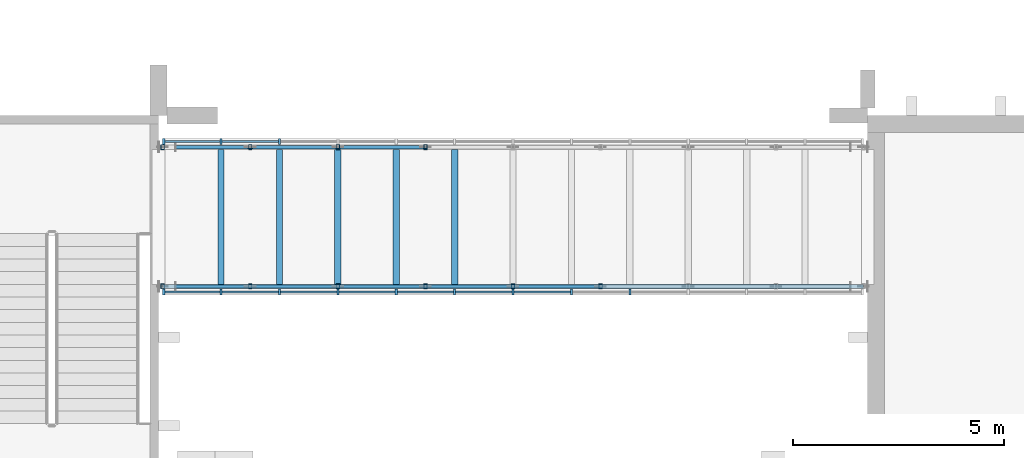
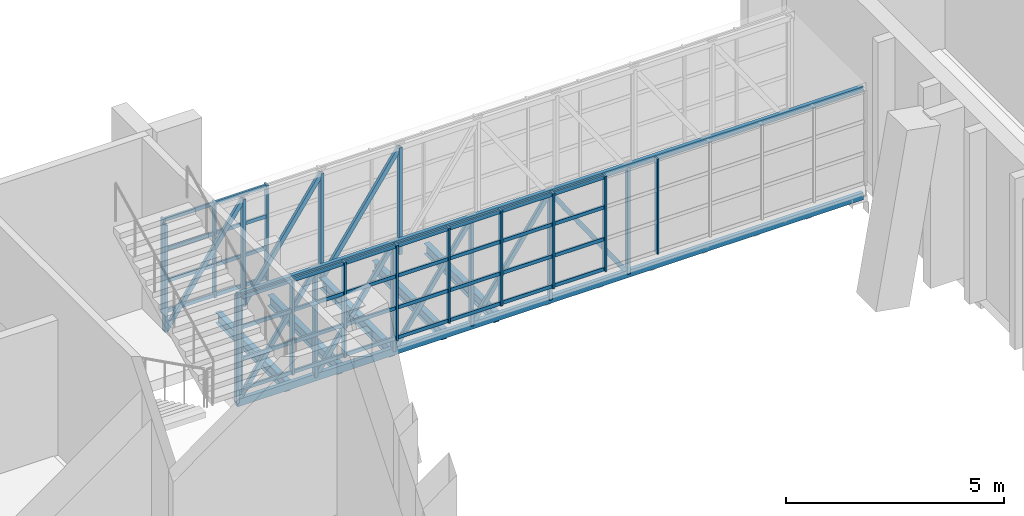
# One storey, part 11 of 91: 68 members, 5 beams, 2 elements without a shape of their own.
"""IFC4 building model written with IfcOpenShell, lengths in metres."""

import ifcopenshell
import ifcopenshell.guid

model = None  # the IFC model being written
_history = None  # IfcOwnerHistory: only IFC2X3 demands one
_inside = {}  # id of a spatial element -> (the spatial element, [elements in it])
_under = {}  # id of a project, library or spatial element -> (it, [spatial elements below it])
_declared = {}  # id of a project -> (the project, [libraries it declares])
_typed = {}  # id of a type object -> (the type object, [elements of that type])
_made_of = {}  # id of a material, layer set ... -> (it, [elements and type objects made of it])


def new_model(schema):
    """Start an empty IFC model of exactly this schema.

    Asked for "IFC4X3", IfcOpenShell would pick the latest addendum, in which some entities
    have other attributes; the version numbers below select the first issue.
    IFC2X3 requires an IfcOwnerHistory on every rooted entity: one is made here for all.
    """
    global model, _history
    if schema == "IFC4X3":
        model = ifcopenshell.file(schema_version=(4, 3, 0, 0))
    else:
        model = ifcopenshell.file(schema=schema)
    _inside.clear()
    _under.clear()
    _declared.clear()
    _typed.clear()
    _made_of.clear()
    _history = None
    if model.schema == "IFC2X3":
        org = make("IfcOrganization", Name="unknown")
        user = make(
            "IfcPersonAndOrganization",
            ThePerson=make("IfcPerson", FamilyName="unknown"),
            TheOrganization=org,
        )
        app = make(
            "IfcApplication",
            ApplicationDeveloper=org,
            Version="unknown",
            ApplicationFullName="unknown",
            ApplicationIdentifier="unknown",
        )
        _history = make(
            "IfcOwnerHistory",
            OwningUser=user,
            OwningApplication=app,
            ChangeAction="ADDED",
            CreationDate=0,
        )
    return model


def make(cls, **values):
    """One entity of the class cls with the attributes given. An attribute that is None is left unset."""
    return model.create_entity(
        cls, **{name: value for name, value in values.items() if value is not None}
    )


def rooted(cls, **values):
    """An entity with a GlobalId (a new one), such as an element, a storey or a relation."""
    return make(cls, GlobalId=ifcopenshell.guid.new(), OwnerHistory=_history, **values)


def si_unit(unit_type, name, prefix=None):
    """IfcSIUnit, for example si_unit("LENGTHUNIT", "METRE", prefix="MILLI")."""
    return make("IfcSIUnit", UnitType=unit_type, Prefix=prefix, Name=name)


def assignment(units):
    """IfcUnitAssignment: the units of a project."""
    return None if units is None else make("IfcUnitAssignment", Units=units)


def point(xyz):
    """IfcCartesianPoint."""
    return None if xyz is None else make("IfcCartesianPoint", Coordinates=xyz)


def direction(xyz):
    """IfcDirection."""
    return None if xyz is None else make("IfcDirection", DirectionRatios=xyz)


def frame(location, z_axis=None, x_axis=None):
    """IfcAxis2Placement3D, a coordinate frame: its origin and axes. An axis left out is left unset."""
    return make(
        "IfcAxis2Placement3D",
        Location=point(location),
        Axis=direction(z_axis),
        RefDirection=direction(x_axis),
    )


def frame_2d(location, x_axis=None):
    """IfcAxis2Placement2D, a coordinate frame in the plane: its origin and x axis."""
    return make(
        "IfcAxis2Placement2D", Location=point(location), RefDirection=direction(x_axis)
    )


def origin():
    """The frame at (0, 0, 0) with its axes left unset."""
    return frame((0.0, 0.0, 0.0))


def origin_2d():
    """The frame at (0, 0) in the plane with its x axis left unset."""
    return frame_2d((0.0, 0.0))


def place(relative_to, where):
    """IfcLocalPlacement: puts the frame where relative to a parent placement (None: the world)."""
    return make(
        "IfcLocalPlacement", PlacementRelTo=relative_to, RelativePlacement=where
    )


def context(
    kind, dimensions, precision=None, world=None, true_north=None, identifier=None
):
    """IfcGeometricRepresentationContext, for example the 3D "Model" context."""
    return make(
        "IfcGeometricRepresentationContext",
        ContextIdentifier=identifier,
        ContextType=kind,
        CoordinateSpaceDimension=dimensions,
        Precision=precision,
        WorldCoordinateSystem=world,
        TrueNorth=true_north,
    )


def subcontext(parent, identifier, kind, view, scale=None):
    """IfcGeometricRepresentationSubContext, for example "Body" below "Model"."""
    return make(
        "IfcGeometricRepresentationSubContext",
        ContextIdentifier=identifier,
        ContextType=kind,
        ParentContext=parent,
        TargetScale=scale,
        TargetView=view,
    )


def project(units=None, contexts=None):
    """IfcProject with its units and contexts."""
    return rooted(
        "IfcProject",
        Name="project",
        RepresentationContexts=contexts,
        UnitsInContext=assignment(units),
    )


def spatial(cls, under=None, at=None, **own):
    """A site, building, storey or space (cls), placed at a placement, below another one or the project."""
    s = rooted(cls, ObjectPlacement=at, **own)
    if under is not None:
        _under.setdefault(under.id(), (under, []))[1].append(s)
    return s


def profile(cls, at=None, kind="AREA", **sizes):
    """A parametric profile (cls). Its sizes go by their IFC names, for example OverallWidth=200.0."""
    return make(cls, ProfileType=kind, Position=at, **sizes)


def rectangle(**sizes):
    """IfcRectangleProfileDef."""
    return profile("IfcRectangleProfileDef", **sizes)


def hollow_rectangle(**sizes):
    """IfcRectangleHollowProfileDef."""
    return profile("IfcRectangleHollowProfileDef", **sizes)


def i_section(**sizes):
    """IfcIShapeProfileDef."""
    return profile("IfcIShapeProfileDef", **sizes)


def extrude(swept, where, along, depth):
    """IfcExtrudedAreaSolid: the profile swept, set in the frame where, extruded along a direction by depth."""
    return make(
        "IfcExtrudedAreaSolid",
        SweptArea=swept,
        Position=where,
        ExtrudedDirection=direction(along),
        Depth=depth,
    )


def shape(context_of_items, identifier, shape_type, items):
    """IfcShapeRepresentation: the items that make up one representation, for example the "Body"."""
    return make(
        "IfcShapeRepresentation",
        ContextOfItems=context_of_items,
        RepresentationIdentifier=identifier,
        RepresentationType=shape_type,
        Items=items,
    )


def material(Name=None, Category=None):
    """IfcMaterial."""
    return make("IfcMaterial", Name=Name, Category=Category)


def layer(
    of_material, thickness, ventilated=None, Name=None, Category=None, Priority=None
):
    """IfcMaterialLayer: one layer of a wall or slab, of a material (None: an air gap)."""
    return make(
        "IfcMaterialLayer",
        Material=of_material,
        LayerThickness=thickness,
        IsVentilated=ventilated,
        Name=Name,
        Category=Category,
        Priority=Priority,
    )


def layer_set(layers, Name=None):
    """IfcMaterialLayerSet."""
    return make("IfcMaterialLayerSet", MaterialLayers=layers, LayerSetName=Name)


def material_profile(
    of_material, cross_section, Name=None, Category=None, Priority=None
):
    """IfcMaterialProfile: a cross section and its material."""
    return make(
        "IfcMaterialProfile",
        Name=Name,
        Material=of_material,
        Profile=cross_section,
        Priority=Priority,
        Category=Category,
    )


def profile_set(profiles, Name=None, composite=None):
    """IfcMaterialProfileSet."""
    return make(
        "IfcMaterialProfileSet",
        Name=Name,
        MaterialProfiles=profiles,
        CompositeProfile=composite,
    )


def made_of(thing, what):
    """Note that an element or type object is made of a material, layer set ...; save() writes the relation."""
    if what is not None:
        _made_of.setdefault(what.id(), (what, []))[1].append(thing)
    return thing


def type_object(cls, material=None, **own):
    """A type object (cls), such as IfcWallType, which elements share."""
    return made_of(rooted(cls, **own), material)


def element(
    cls,
    number,
    at=None,
    inside=None,
    cuts=None,
    type_object=None,
    material=None,
    context=None,
    identifier="Body",
    shape_type=None,
    held_by="IfcProductDefinitionShape",
    body=None,
    shapes=None,
    **own,
):
    """One element of the class cls, such as IfcWall. Its Tag is "e" and its number.

    at: its placement. inside: the storey or other place that contains it. cuts: it is an
    opening in that element (IfcRelVoidsElement). A single representation is given by context,
    identifier, shape_type and body (its items); several are given by shapes. held_by: the class
    of the entity that holds the representations. save() writes the other relations.
    """
    e = rooted(cls, Tag="e%d" % number, ObjectPlacement=at, **own)
    if body is not None:
        shapes = [shape(context, identifier, shape_type, body)]
    if shapes is not None:
        e.Representation = make(held_by, Representations=shapes)
    if inside is not None:
        _inside.setdefault(inside.id(), (inside, []))[1].append(e)
    if cuts is not None:
        rooted(
            "IfcRelVoidsElement", RelatingBuildingElement=cuts, RelatedOpeningElement=e
        )
    if type_object is not None:
        _typed.setdefault(type_object.id(), (type_object, []))[1].append(e)
    return made_of(e, material)


def aggregate(whole, parts):
    """IfcRelAggregates: a whole, such as a stair, and the parts it consists of."""
    return rooted("IfcRelAggregates", RelatingObject=whole, RelatedObjects=parts)


def save(model, path):
    """Write the relations noted so far, then the file.

    IfcRelAggregates (storeys below a building ...), IfcRelContainedInSpatialStructure (elements
    in a storey), IfcRelDefinesByType, IfcRelAssociatesMaterial and IfcRelDeclares: one each for
    every whole, place, type object, material and project.
    """
    for whole, parts in _under.values():
        aggregate(whole, parts)
    for where, things in _inside.values():
        rooted(
            "IfcRelContainedInSpatialStructure",
            RelatedElements=things,
            RelatingStructure=where,
        )
    for kind, things in _typed.values():
        rooted("IfcRelDefinesByType", RelatedObjects=things, RelatingType=kind)
    for what, things in _made_of.values():
        rooted("IfcRelAssociatesMaterial", RelatedObjects=things, RelatingMaterial=what)
    for by, libraries in _declared.values():
        rooted("IfcRelDeclares", RelatingContext=by, RelatedDefinitions=libraries)
    model.write(path)


model = new_model("IFC4")

# Units and contexts
model_context = context("Model", 3, precision=1e-05, world=origin(), true_north=direction((0.0, 1.0)))
body_context = subcontext(model_context, "Body", "Model", "MODEL_VIEW")
ifc_project = project(units=[si_unit("LENGTHUNIT", "METRE"), si_unit("AREAUNIT", "SQUARE_METRE"), si_unit("VOLUMEUNIT", "CUBIC_METRE"), si_unit("PLANEANGLEUNIT", "RADIAN"), si_unit("MASSUNIT", "GRAM", prefix="KILO")], contexts=[model_context])

# Site, building, storey
site_placement = place(None, origin())
site = spatial("IfcSite", under=ifc_project, at=site_placement, CompositionType="ELEMENT")
building_placement = place(site_placement, origin())
building = spatial("IfcBuilding", under=site, at=building_placement, Name="Kiln Court Media Centre", CompositionType="ELEMENT")
storey_placement = place(building_placement, frame((0.0, 0.0, 5.39990234375)))
storey = spatial("IfcBuildingStorey", under=building, at=storey_placement, Name="L01", CompositionType="ELEMENT", Elevation=5.39990234375)

# Curtain wall, members
ifc_material_1 = material(Name="Aluminium 6063-T6", Category="aluminium")
ifc_layer = layer(ifc_material_1, 0.1201171875)
ifc_layer_set = layer_set([ifc_layer], Name="Aluminium unitised curtain wall, bridge")
curtain_wall_type = type_object("IfcCurtainWallType", Name="Aluminium unitised curtain wall, bridge", PredefinedType="USERDEFINED", material=ifc_layer_set)
curtain_wall_1_placement = place(storey_placement, origin())
curtain_wall_1 = element("IfcCurtainWall", 1, at=curtain_wall_1_placement, inside=storey, type_object=curtain_wall_type, Name="BR-3 side glazing", ObjectType="UNITISED CURTAIN WALL", PredefinedType="USERDEFINED")
ifc_material_2 = material(Name="Aluminium 6063-T6", Category="aluminium")
ifc_material_profile_1 = material_profile(ifc_material_2, rectangle(XDim=0.050048828125, YDim=0.139892578125, at=origin_2d()), Name="Aluminium hall mullion 50x140")
ifc_profile_set_1 = profile_set([ifc_material_profile_1], Name="Aluminium 6063-T6")
member_type_1 = type_object("IfcMemberType", Name="Aluminium hall mullion 50x140", PredefinedType="MULLION", material=ifc_profile_set_1)
member_1_placement = place(storey_placement, frame((100.925048828125, 63.014892578125, 0.0), z_axis=(0.0, 0.0, 1.0), x_axis=(1.0, 0.0, 0.0)))
member_1 = element("IfcMember", 2, at=member_1_placement, type_object=member_type_1, Name="CW1-63 mullion 1", PredefinedType="MULLION", context=body_context, shape_type="SweptSolid", body=[
    extrude(rectangle(XDim=0.050048828125, YDim=0.139892578125, at=origin_2d()), origin(), (0.0, 0.0, 1.0), 2.675048828125),
])
member_2_placement = place(storey_placement, frame((102.283447265625, 63.014892578125, 0.0), z_axis=(0.0, 0.0, 1.0), x_axis=(1.0, 0.0, 0.0)))
member_2 = element("IfcMember", 3, at=member_2_placement, type_object=member_type_1, Name="CW1-63 mullion 2", PredefinedType="MULLION", context=body_context, shape_type="SweptSolid", body=[
    extrude(rectangle(XDim=0.050048828125, YDim=0.139892578125, at=origin_2d()), origin(), (0.0, 0.0, 1.0), 2.675048828125),
])
member_3_placement = place(storey_placement, frame((103.666748046875, 63.014892578125, 0.0), z_axis=(0.0, 0.0, 1.0), x_axis=(1.0, 0.0, 0.0)))
member_3 = element("IfcMember", 4, at=member_3_placement, type_object=member_type_1, Name="CW1-63 mullion 3", PredefinedType="MULLION", context=body_context, shape_type="SweptSolid", body=[
    extrude(rectangle(XDim=0.050048828125, YDim=0.139892578125, at=origin_2d()), origin(), (0.0, 0.0, 1.0), 2.675048828125),
])
member_4_placement = place(storey_placement, frame((105.050048828125, 63.014892578125, 0.0), z_axis=(0.0, 0.0, 1.0), x_axis=(1.0, 0.0, 0.0)))
member_4 = element("IfcMember", 5, at=member_4_placement, type_object=member_type_1, Name="CW1-63 mullion 4", PredefinedType="MULLION", context=body_context, shape_type="SweptSolid", body=[
    extrude(rectangle(XDim=0.050048828125, YDim=0.139892578125, at=origin_2d()), origin(), (0.0, 0.0, 1.0), 2.675048828125),
])
member_5_placement = place(storey_placement, frame((106.433349609375, 63.014892578125, 0.0), z_axis=(0.0, 0.0, 1.0), x_axis=(1.0, 0.0, 0.0)))
member_5 = element("IfcMember", 6, at=member_5_placement, type_object=member_type_1, Name="CW1-63 mullion 5", PredefinedType="MULLION", context=body_context, shape_type="SweptSolid", body=[
    extrude(rectangle(XDim=0.050048828125, YDim=0.139892578125, at=origin_2d()), origin(), (0.0, 0.0, 1.0), 2.675048828125),
])
member_6_placement = place(storey_placement, frame((107.816650390625, 63.014892578125, 0.0), z_axis=(0.0, 0.0, 1.0), x_axis=(1.0, 0.0, 0.0)))
member_6 = element("IfcMember", 7, at=member_6_placement, type_object=member_type_1, Name="CW1-63 mullion 6", PredefinedType="MULLION", context=body_context, shape_type="SweptSolid", body=[
    extrude(rectangle(XDim=0.050048828125, YDim=0.139892578125, at=origin_2d()), origin(), (0.0, 0.0, 1.0), 2.675048828125),
])
member_7_placement = place(storey_placement, frame((109.199951171875, 63.014892578125, 0.0), z_axis=(0.0, 0.0, 1.0), x_axis=(1.0, 0.0, 0.0)))
member_7 = element("IfcMember", 8, at=member_7_placement, type_object=member_type_1, Name="CW1-63 mullion 7", PredefinedType="MULLION", context=body_context, shape_type="SweptSolid", body=[
    extrude(rectangle(XDim=0.050048828125, YDim=0.139892578125, at=origin_2d()), origin(), (0.0, 0.0, 1.0), 2.675048828125),
])
member_8_placement = place(storey_placement, frame((110.583251953125, 63.014892578125, 0.0), z_axis=(0.0, 0.0, 1.0), x_axis=(1.0, 0.0, 0.0)))
member_8 = element("IfcMember", 9, at=member_8_placement, type_object=member_type_1, Name="CW1-63 mullion 8", PredefinedType="MULLION", context=body_context, shape_type="SweptSolid", body=[
    extrude(rectangle(XDim=0.050048828125, YDim=0.139892578125, at=origin_2d()), origin(), (0.0, 0.0, 1.0), 2.675048828125),
])
member_9_placement = place(storey_placement, frame((111.966552734375, 63.014892578125, 0.0), z_axis=(0.0, 0.0, 1.0), x_axis=(1.0, 0.0, 0.0)))
member_9 = element("IfcMember", 10, at=member_9_placement, type_object=member_type_1, Name="CW1-63 mullion 9", PredefinedType="MULLION", context=body_context, shape_type="SweptSolid", body=[
    extrude(rectangle(XDim=0.050048828125, YDim=0.139892578125, at=origin_2d()), origin(), (0.0, 0.0, 1.0), 2.675048828125),
])

curtain_wall_2_placement = place(storey_placement, origin())
curtain_wall_2 = element("IfcCurtainWall", 11, at=curtain_wall_2_placement, inside=storey, type_object=curtain_wall_type, Name="BR-3 side glazing", ObjectType="UNITISED CURTAIN WALL", PredefinedType="USERDEFINED")
member_10_placement = place(storey_placement, frame((100.925048828125, 66.5849609375, 0.0), z_axis=(0.0, 0.0, 1.0), x_axis=(1.0, 0.0, 0.0)))
member_10 = element("IfcMember", 12, at=member_10_placement, type_object=member_type_1, Name="CW1-64 mullion 1", PredefinedType="MULLION", context=body_context, shape_type="SweptSolid", body=[
    extrude(rectangle(XDim=0.050048828125, YDim=0.139892578125, at=origin_2d()), origin(), (0.0, 0.0, 1.0), 2.675048828125),
])
member_11_placement = place(storey_placement, frame((102.283447265625, 66.5849609375, 0.0), z_axis=(0.0, 0.0, 1.0), x_axis=(1.0, 0.0, 0.0)))
member_11 = element("IfcMember", 13, at=member_11_placement, type_object=member_type_1, Name="CW1-64 mullion 2", PredefinedType="MULLION", context=body_context, shape_type="SweptSolid", body=[
    extrude(rectangle(XDim=0.050048828125, YDim=0.139892578125, at=origin_2d()), origin(), (0.0, 0.0, 1.0), 2.675048828125),
])
member_12_placement = place(storey_placement, frame((103.666748046875, 66.5849609375, 0.0), z_axis=(0.0, 0.0, 1.0), x_axis=(1.0, 0.0, 0.0)))
member_12 = element("IfcMember", 14, at=member_12_placement, type_object=member_type_1, Name="CW1-64 mullion 3", PredefinedType="MULLION", context=body_context, shape_type="SweptSolid", body=[
    extrude(rectangle(XDim=0.050048828125, YDim=0.139892578125, at=origin_2d()), origin(), (0.0, 0.0, 1.0), 2.675048828125),
])

# Member
ifc_material_3 = material(Name="Aluminium 6063-T6", Category="aluminium")
ifc_material_profile_2 = material_profile(ifc_material_3, rectangle(XDim=0.050048828125, YDim=0.10009765625, at=origin_2d()), Name="Aluminium hall transom 50x100")
ifc_profile_set_2 = profile_set([ifc_material_profile_2], Name="Aluminium 6063-T6")
member_type_2 = type_object("IfcMemberType", Name="Aluminium hall transom 50x100", PredefinedType="USERDEFINED", material=ifc_profile_set_2)
member_13_placement = place(storey_placement, frame((100.949951171875, 63.014892578125, 0.050048828125), z_axis=(1.0, 0.0, 0.0), x_axis=(0.0, 1.0, 0.0)))
member_13 = element("IfcMember", 15, at=member_13_placement, type_object=member_type_2, Name="CW1-63 transom 1.1", ObjectType="TRANSOM", PredefinedType="USERDEFINED", context=body_context, shape_type="SweptSolid", body=[
    extrude(rectangle(XDim=0.050048828125, YDim=0.10009765625, at=origin_2d()), origin(), (0.0, 0.0, 1.0), 1.308349609375),
])

member_14_placement = place(storey_placement, frame((100.949951171875, 63.014892578125, 0.891845703125), z_axis=(1.0, 0.0, 0.0), x_axis=(0.0, 1.0, 0.0)))
member_14 = element("IfcMember", 16, at=member_14_placement, type_object=member_type_2, Name="CW1-63 transom 1.2", ObjectType="TRANSOM", PredefinedType="USERDEFINED", context=body_context, shape_type="SweptSolid", body=[
    extrude(rectangle(XDim=0.050048828125, YDim=0.10009765625, at=origin_2d()), origin(), (0.0, 0.0, 1.0), 1.308349609375),
])

member_15_placement = place(storey_placement, frame((100.949951171875, 63.014892578125, 1.783447265625), z_axis=(1.0, 0.0, 0.0), x_axis=(0.0, 1.0, 0.0)))
member_15 = element("IfcMember", 17, at=member_15_placement, type_object=member_type_2, Name="CW1-63 transom 1.3", ObjectType="TRANSOM", PredefinedType="USERDEFINED", context=body_context, shape_type="SweptSolid", body=[
    extrude(rectangle(XDim=0.050048828125, YDim=0.10009765625, at=origin_2d()), origin(), (0.0, 0.0, 1.0), 1.308349609375),
])

member_16_placement = place(storey_placement, frame((100.949951171875, 63.014892578125, 2.625), z_axis=(1.0, 0.0, 0.0), x_axis=(0.0, 1.0, 0.0)))
member_16 = element("IfcMember", 18, at=member_16_placement, type_object=member_type_2, Name="CW1-63 transom 1.4", ObjectType="TRANSOM", PredefinedType="USERDEFINED", context=body_context, shape_type="SweptSolid", body=[
    extrude(rectangle(XDim=0.050048828125, YDim=0.10009765625, at=origin_2d()), origin(), (0.0, 0.0, 1.0), 1.308349609375),
])

member_17_placement = place(storey_placement, frame((102.308349609375, 63.014892578125, 0.050048828125), z_axis=(1.0, 0.0, 0.0), x_axis=(0.0, 1.0, 0.0)))
member_17 = element("IfcMember", 19, at=member_17_placement, type_object=member_type_2, Name="CW1-63 transom 2.1", ObjectType="TRANSOM", PredefinedType="USERDEFINED", context=body_context, shape_type="SweptSolid", body=[
    extrude(rectangle(XDim=0.050048828125, YDim=0.10009765625, at=origin_2d()), origin(), (0.0, 0.0, 1.0), 1.333251953125),
])

member_18_placement = place(storey_placement, frame((102.308349609375, 63.014892578125, 0.891845703125), z_axis=(1.0, 0.0, 0.0), x_axis=(0.0, 1.0, 0.0)))
member_18 = element("IfcMember", 20, at=member_18_placement, type_object=member_type_2, Name="CW1-63 transom 2.2", ObjectType="TRANSOM", PredefinedType="USERDEFINED", context=body_context, shape_type="SweptSolid", body=[
    extrude(rectangle(XDim=0.050048828125, YDim=0.10009765625, at=origin_2d()), origin(), (0.0, 0.0, 1.0), 1.333251953125),
])

member_19_placement = place(storey_placement, frame((102.308349609375, 63.014892578125, 1.783447265625), z_axis=(1.0, 0.0, 0.0), x_axis=(0.0, 1.0, 0.0)))
member_19 = element("IfcMember", 21, at=member_19_placement, type_object=member_type_2, Name="CW1-63 transom 2.3", ObjectType="TRANSOM", PredefinedType="USERDEFINED", context=body_context, shape_type="SweptSolid", body=[
    extrude(rectangle(XDim=0.050048828125, YDim=0.10009765625, at=origin_2d()), origin(), (0.0, 0.0, 1.0), 1.333251953125),
])

member_20_placement = place(storey_placement, frame((102.308349609375, 63.014892578125, 2.625), z_axis=(1.0, 0.0, 0.0), x_axis=(0.0, 1.0, 0.0)))
member_20 = element("IfcMember", 22, at=member_20_placement, type_object=member_type_2, Name="CW1-63 transom 2.4", ObjectType="TRANSOM", PredefinedType="USERDEFINED", context=body_context, shape_type="SweptSolid", body=[
    extrude(rectangle(XDim=0.050048828125, YDim=0.10009765625, at=origin_2d()), origin(), (0.0, 0.0, 1.0), 1.333251953125),
])

member_21_placement = place(storey_placement, frame((103.691650390625, 63.014892578125, 0.050048828125), z_axis=(1.0, 0.0, 0.0), x_axis=(0.0, 1.0, 0.0)))
member_21 = element("IfcMember", 23, at=member_21_placement, type_object=member_type_2, Name="CW1-63 transom 3.1", ObjectType="TRANSOM", PredefinedType="USERDEFINED", context=body_context, shape_type="SweptSolid", body=[
    extrude(rectangle(XDim=0.050048828125, YDim=0.10009765625, at=origin_2d()), origin(), (0.0, 0.0, 1.0), 1.333251953125),
])

member_22_placement = place(storey_placement, frame((103.691650390625, 63.014892578125, 0.891845703125), z_axis=(1.0, 0.0, 0.0), x_axis=(0.0, 1.0, 0.0)))
member_22 = element("IfcMember", 24, at=member_22_placement, type_object=member_type_2, Name="CW1-63 transom 3.2", ObjectType="TRANSOM", PredefinedType="USERDEFINED", context=body_context, shape_type="SweptSolid", body=[
    extrude(rectangle(XDim=0.050048828125, YDim=0.10009765625, at=origin_2d()), origin(), (0.0, 0.0, 1.0), 1.333251953125),
])

member_23_placement = place(storey_placement, frame((103.691650390625, 63.014892578125, 1.783447265625), z_axis=(1.0, 0.0, 0.0), x_axis=(0.0, 1.0, 0.0)))
member_23 = element("IfcMember", 25, at=member_23_placement, type_object=member_type_2, Name="CW1-63 transom 3.3", ObjectType="TRANSOM", PredefinedType="USERDEFINED", context=body_context, shape_type="SweptSolid", body=[
    extrude(rectangle(XDim=0.050048828125, YDim=0.10009765625, at=origin_2d()), origin(), (0.0, 0.0, 1.0), 1.333251953125),
])

member_24_placement = place(storey_placement, frame((103.691650390625, 63.014892578125, 2.625), z_axis=(1.0, 0.0, 0.0), x_axis=(0.0, 1.0, 0.0)))
member_24 = element("IfcMember", 26, at=member_24_placement, type_object=member_type_2, Name="CW1-63 transom 3.4", ObjectType="TRANSOM", PredefinedType="USERDEFINED", context=body_context, shape_type="SweptSolid", body=[
    extrude(rectangle(XDim=0.050048828125, YDim=0.10009765625, at=origin_2d()), origin(), (0.0, 0.0, 1.0), 1.333251953125),
])

member_25_placement = place(storey_placement, frame((105.074951171875, 63.014892578125, 0.050048828125), z_axis=(1.0, 0.0, 0.0), x_axis=(0.0, 1.0, 0.0)))
member_25 = element("IfcMember", 27, at=member_25_placement, type_object=member_type_2, Name="CW1-63 transom 4.1", ObjectType="TRANSOM", PredefinedType="USERDEFINED", context=body_context, shape_type="SweptSolid", body=[
    extrude(rectangle(XDim=0.050048828125, YDim=0.10009765625, at=origin_2d()), origin(), (0.0, 0.0, 1.0), 1.33349609375),
])

member_26_placement = place(storey_placement, frame((105.074951171875, 63.014892578125, 0.891845703125), z_axis=(1.0, 0.0, 0.0), x_axis=(0.0, 1.0, 0.0)))
member_26 = element("IfcMember", 28, at=member_26_placement, type_object=member_type_2, Name="CW1-63 transom 4.2", ObjectType="TRANSOM", PredefinedType="USERDEFINED", context=body_context, shape_type="SweptSolid", body=[
    extrude(rectangle(XDim=0.050048828125, YDim=0.10009765625, at=origin_2d()), origin(), (0.0, 0.0, 1.0), 1.33349609375),
])

member_27_placement = place(storey_placement, frame((105.074951171875, 63.014892578125, 1.783447265625), z_axis=(1.0, 0.0, 0.0), x_axis=(0.0, 1.0, 0.0)))
member_27 = element("IfcMember", 29, at=member_27_placement, type_object=member_type_2, Name="CW1-63 transom 4.3", ObjectType="TRANSOM", PredefinedType="USERDEFINED", context=body_context, shape_type="SweptSolid", body=[
    extrude(rectangle(XDim=0.050048828125, YDim=0.10009765625, at=origin_2d()), origin(), (0.0, 0.0, 1.0), 1.33349609375),
])

member_28_placement = place(storey_placement, frame((105.074951171875, 63.014892578125, 2.625), z_axis=(1.0, 0.0, 0.0), x_axis=(0.0, 1.0, 0.0)))
member_28 = element("IfcMember", 30, at=member_28_placement, type_object=member_type_2, Name="CW1-63 transom 4.4", ObjectType="TRANSOM", PredefinedType="USERDEFINED", context=body_context, shape_type="SweptSolid", body=[
    extrude(rectangle(XDim=0.050048828125, YDim=0.10009765625, at=origin_2d()), origin(), (0.0, 0.0, 1.0), 1.33349609375),
])

member_29_placement = place(storey_placement, frame((106.458251953125, 63.014892578125, 0.050048828125), z_axis=(1.0, 0.0, 0.0), x_axis=(0.0, 1.0, 0.0)))
member_29 = element("IfcMember", 31, at=member_29_placement, type_object=member_type_2, Name="CW1-63 transom 5.1", ObjectType="TRANSOM", PredefinedType="USERDEFINED", context=body_context, shape_type="SweptSolid", body=[
    extrude(rectangle(XDim=0.050048828125, YDim=0.10009765625, at=origin_2d()), origin(), (0.0, 0.0, 1.0), 1.33349609375),
])

member_30_placement = place(storey_placement, frame((106.458251953125, 63.014892578125, 0.891845703125), z_axis=(1.0, 0.0, 0.0), x_axis=(0.0, 1.0, 0.0)))
member_30 = element("IfcMember", 32, at=member_30_placement, type_object=member_type_2, Name="CW1-63 transom 5.2", ObjectType="TRANSOM", PredefinedType="USERDEFINED", context=body_context, shape_type="SweptSolid", body=[
    extrude(rectangle(XDim=0.050048828125, YDim=0.10009765625, at=origin_2d()), origin(), (0.0, 0.0, 1.0), 1.33349609375),
])

member_31_placement = place(storey_placement, frame((106.458251953125, 63.014892578125, 1.783447265625), z_axis=(1.0, 0.0, 0.0), x_axis=(0.0, 1.0, 0.0)))
member_31 = element("IfcMember", 33, at=member_31_placement, type_object=member_type_2, Name="CW1-63 transom 5.3", ObjectType="TRANSOM", PredefinedType="USERDEFINED", context=body_context, shape_type="SweptSolid", body=[
    extrude(rectangle(XDim=0.050048828125, YDim=0.10009765625, at=origin_2d()), origin(), (0.0, 0.0, 1.0), 1.33349609375),
])

member_32_placement = place(storey_placement, frame((106.458251953125, 63.014892578125, 2.625), z_axis=(1.0, 0.0, 0.0), x_axis=(0.0, 1.0, 0.0)))
member_32 = element("IfcMember", 34, at=member_32_placement, type_object=member_type_2, Name="CW1-63 transom 5.4", ObjectType="TRANSOM", PredefinedType="USERDEFINED", context=body_context, shape_type="SweptSolid", body=[
    extrude(rectangle(XDim=0.050048828125, YDim=0.10009765625, at=origin_2d()), origin(), (0.0, 0.0, 1.0), 1.33349609375),
])

member_33_placement = place(storey_placement, frame((107.841552734375, 63.014892578125, 0.050048828125), z_axis=(1.0, 0.0, 0.0), x_axis=(0.0, 1.0, 0.0)))
member_33 = element("IfcMember", 35, at=member_33_placement, type_object=member_type_2, Name="CW1-63 transom 6.1", ObjectType="TRANSOM", PredefinedType="USERDEFINED", context=body_context, shape_type="SweptSolid", body=[
    extrude(rectangle(XDim=0.050048828125, YDim=0.10009765625, at=origin_2d()), origin(), (0.0, 0.0, 1.0), 1.33349609375),
])

member_34_placement = place(storey_placement, frame((107.841552734375, 63.014892578125, 0.891845703125), z_axis=(1.0, 0.0, 0.0), x_axis=(0.0, 1.0, 0.0)))
member_34 = element("IfcMember", 36, at=member_34_placement, type_object=member_type_2, Name="CW1-63 transom 6.2", ObjectType="TRANSOM", PredefinedType="USERDEFINED", context=body_context, shape_type="SweptSolid", body=[
    extrude(rectangle(XDim=0.050048828125, YDim=0.10009765625, at=origin_2d()), origin(), (0.0, 0.0, 1.0), 1.33349609375),
])

member_35_placement = place(storey_placement, frame((107.841552734375, 63.014892578125, 1.783447265625), z_axis=(1.0, 0.0, 0.0), x_axis=(0.0, 1.0, 0.0)))
member_35 = element("IfcMember", 37, at=member_35_placement, type_object=member_type_2, Name="CW1-63 transom 6.3", ObjectType="TRANSOM", PredefinedType="USERDEFINED", context=body_context, shape_type="SweptSolid", body=[
    extrude(rectangle(XDim=0.050048828125, YDim=0.10009765625, at=origin_2d()), origin(), (0.0, 0.0, 1.0), 1.33349609375),
])

member_36_placement = place(storey_placement, frame((107.841552734375, 63.014892578125, 2.625), z_axis=(1.0, 0.0, 0.0), x_axis=(0.0, 1.0, 0.0)))
member_36 = element("IfcMember", 38, at=member_36_placement, type_object=member_type_2, Name="CW1-63 transom 6.4", ObjectType="TRANSOM", PredefinedType="USERDEFINED", context=body_context, shape_type="SweptSolid", body=[
    extrude(rectangle(XDim=0.050048828125, YDim=0.10009765625, at=origin_2d()), origin(), (0.0, 0.0, 1.0), 1.33349609375),
])

member_37_placement = place(storey_placement, frame((109.22509765625, 63.014892578125, 0.050048828125), z_axis=(1.0, 0.0, 0.0), x_axis=(0.0, 1.0, 0.0)))
member_37 = element("IfcMember", 39, at=member_37_placement, type_object=member_type_2, Name="CW1-63 transom 7.1", ObjectType="TRANSOM", PredefinedType="USERDEFINED", context=body_context, shape_type="SweptSolid", body=[
    extrude(rectangle(XDim=0.050048828125, YDim=0.10009765625, at=origin_2d()), origin(), (0.0, 0.0, 1.0), 1.333251953125),
])

member_38_placement = place(storey_placement, frame((109.22509765625, 63.014892578125, 0.891845703125), z_axis=(1.0, 0.0, 0.0), x_axis=(0.0, 1.0, 0.0)))
member_38 = element("IfcMember", 40, at=member_38_placement, type_object=member_type_2, Name="CW1-63 transom 7.2", ObjectType="TRANSOM", PredefinedType="USERDEFINED", context=body_context, shape_type="SweptSolid", body=[
    extrude(rectangle(XDim=0.050048828125, YDim=0.10009765625, at=origin_2d()), origin(), (0.0, 0.0, 1.0), 1.333251953125),
])

member_39_placement = place(storey_placement, frame((109.22509765625, 63.014892578125, 1.783447265625), z_axis=(1.0, 0.0, 0.0), x_axis=(0.0, 1.0, 0.0)))
member_39 = element("IfcMember", 41, at=member_39_placement, type_object=member_type_2, Name="CW1-63 transom 7.3", ObjectType="TRANSOM", PredefinedType="USERDEFINED", context=body_context, shape_type="SweptSolid", body=[
    extrude(rectangle(XDim=0.050048828125, YDim=0.10009765625, at=origin_2d()), origin(), (0.0, 0.0, 1.0), 1.333251953125),
])

member_40_placement = place(storey_placement, frame((109.22509765625, 63.014892578125, 2.625), z_axis=(1.0, 0.0, 0.0), x_axis=(0.0, 1.0, 0.0)))
member_40 = element("IfcMember", 42, at=member_40_placement, type_object=member_type_2, Name="CW1-63 transom 7.4", ObjectType="TRANSOM", PredefinedType="USERDEFINED", context=body_context, shape_type="SweptSolid", body=[
    extrude(rectangle(XDim=0.050048828125, YDim=0.10009765625, at=origin_2d()), origin(), (0.0, 0.0, 1.0), 1.333251953125),
])

aggregate(curtain_wall_1, [member_1, member_2, member_3, member_4, member_5, member_6, member_7, member_8, member_9, member_13, member_14, member_15, member_16, member_17, member_18, member_19, member_20, member_21, member_22, member_23, member_24, member_25, member_26, member_27, member_28, member_29, member_30, member_31, member_32, member_33, member_34, member_35, member_36, member_37, member_38, member_39, member_40])

member_41_placement = place(storey_placement, frame((100.949951171875, 66.5849609375, 0.050048828125), z_axis=(1.0, 0.0, 0.0), x_axis=(0.0, 1.0, 0.0)))
member_41 = element("IfcMember", 43, at=member_41_placement, type_object=member_type_2, Name="CW1-64 transom 1.1", ObjectType="TRANSOM", PredefinedType="USERDEFINED", context=body_context, shape_type="SweptSolid", body=[
    extrude(rectangle(XDim=0.050048828125, YDim=0.10009765625, at=origin_2d()), origin(), (0.0, 0.0, 1.0), 1.308349609375),
])

member_42_placement = place(storey_placement, frame((100.949951171875, 66.5849609375, 0.891845703125), z_axis=(1.0, 0.0, 0.0), x_axis=(0.0, 1.0, 0.0)))
member_42 = element("IfcMember", 44, at=member_42_placement, type_object=member_type_2, Name="CW1-64 transom 1.2", ObjectType="TRANSOM", PredefinedType="USERDEFINED", context=body_context, shape_type="SweptSolid", body=[
    extrude(rectangle(XDim=0.050048828125, YDim=0.10009765625, at=origin_2d()), origin(), (0.0, 0.0, 1.0), 1.308349609375),
])

member_43_placement = place(storey_placement, frame((100.949951171875, 66.5849609375, 1.783447265625), z_axis=(1.0, 0.0, 0.0), x_axis=(0.0, 1.0, 0.0)))
member_43 = element("IfcMember", 45, at=member_43_placement, type_object=member_type_2, Name="CW1-64 transom 1.3", ObjectType="TRANSOM", PredefinedType="USERDEFINED", context=body_context, shape_type="SweptSolid", body=[
    extrude(rectangle(XDim=0.050048828125, YDim=0.10009765625, at=origin_2d()), origin(), (0.0, 0.0, 1.0), 1.308349609375),
])

member_44_placement = place(storey_placement, frame((100.949951171875, 66.5849609375, 2.625), z_axis=(1.0, 0.0, 0.0), x_axis=(0.0, 1.0, 0.0)))
member_44 = element("IfcMember", 46, at=member_44_placement, type_object=member_type_2, Name="CW1-64 transom 1.4", ObjectType="TRANSOM", PredefinedType="USERDEFINED", context=body_context, shape_type="SweptSolid", body=[
    extrude(rectangle(XDim=0.050048828125, YDim=0.10009765625, at=origin_2d()), origin(), (0.0, 0.0, 1.0), 1.308349609375),
])

member_45_placement = place(storey_placement, frame((102.308349609375, 66.5849609375, 0.050048828125), z_axis=(1.0, 0.0, 0.0), x_axis=(0.0, 1.0, 0.0)))
member_45 = element("IfcMember", 47, at=member_45_placement, type_object=member_type_2, Name="CW1-64 transom 2.1", ObjectType="TRANSOM", PredefinedType="USERDEFINED", context=body_context, shape_type="SweptSolid", body=[
    extrude(rectangle(XDim=0.050048828125, YDim=0.10009765625, at=origin_2d()), origin(), (0.0, 0.0, 1.0), 1.333251953125),
])

member_46_placement = place(storey_placement, frame((102.308349609375, 66.5849609375, 0.891845703125), z_axis=(1.0, 0.0, 0.0), x_axis=(0.0, 1.0, 0.0)))
member_46 = element("IfcMember", 48, at=member_46_placement, type_object=member_type_2, Name="CW1-64 transom 2.2", ObjectType="TRANSOM", PredefinedType="USERDEFINED", context=body_context, shape_type="SweptSolid", body=[
    extrude(rectangle(XDim=0.050048828125, YDim=0.10009765625, at=origin_2d()), origin(), (0.0, 0.0, 1.0), 1.333251953125),
])

member_47_placement = place(storey_placement, frame((102.308349609375, 66.5849609375, 1.783447265625), z_axis=(1.0, 0.0, 0.0), x_axis=(0.0, 1.0, 0.0)))
member_47 = element("IfcMember", 49, at=member_47_placement, type_object=member_type_2, Name="CW1-64 transom 2.3", ObjectType="TRANSOM", PredefinedType="USERDEFINED", context=body_context, shape_type="SweptSolid", body=[
    extrude(rectangle(XDim=0.050048828125, YDim=0.10009765625, at=origin_2d()), origin(), (0.0, 0.0, 1.0), 1.333251953125),
])

member_48_placement = place(storey_placement, frame((102.308349609375, 66.5849609375, 2.625), z_axis=(1.0, 0.0, 0.0), x_axis=(0.0, 1.0, 0.0)))
member_48 = element("IfcMember", 50, at=member_48_placement, type_object=member_type_2, Name="CW1-64 transom 2.4", ObjectType="TRANSOM", PredefinedType="USERDEFINED", context=body_context, shape_type="SweptSolid", body=[
    extrude(rectangle(XDim=0.050048828125, YDim=0.10009765625, at=origin_2d()), origin(), (0.0, 0.0, 1.0), 1.333251953125),
])

aggregate(curtain_wall_2, [member_10, member_11, member_12, member_41, member_42, member_43, member_44, member_45, member_46, member_47, member_48])

# Members
ifc_material_4 = material(Name="Steel ASTM A500 Gr C", Category="steel")
ifc_material_profile_3 = material_profile(ifc_material_4, hollow_rectangle(XDim=0.080078125, YDim=0.1201171875, WallThickness=0.00634765625, at=origin_2d()), Name="RHS 120x80x6.3")
ifc_profile_set_3 = profile_set([ifc_material_profile_3], Name="Steel ASTM A500 Gr C")
member_type_3 = type_object("IfcMemberType", Name="Steel ASTM A500 Gr C RHS 120x80x6.3 bridge truss web", PredefinedType="BRACE", material=ifc_profile_set_3)
for number, where, z_axis, x_axis, name in (
    (51, (100.89990234375, 63.14990234375, -0.39990234375), (0.0, 0.0, 1.0), (1.0, 0.0, 0.0), "bridge BR-3 side truss 1 post 1 bridge truss web"),
    (52, (102.97509765625, 63.14990234375, -0.39990234375), (0.0, 0.0, 1.0), (1.0, 0.0, 0.0), "bridge BR-3 side truss 1 post 2 bridge truss web"),
    (53, (105.050048828125, 63.14990234375, -0.39990234375), (0.0, 0.0, 1.0), (1.0, 0.0, 0.0), "bridge BR-3 side truss 1 post 3 bridge truss web"),
    (54, (107.125, 63.14990234375, -0.39990234375), (0.0, 0.0, 1.0), (1.0, 0.0, 0.0), "bridge BR-3 side truss 1 post 4 bridge truss web"),
    (55, (109.199951171875, 63.14990234375, -0.39990234375), (0.0, 0.0, 1.0), (1.0, 0.0, 0.0), "bridge BR-3 side truss 1 post 5 bridge truss web"),
    (56, (111.27490234375, 63.14990234375, -0.39990234375), (0.0, 0.0, 1.0), (1.0, 0.0, 0.0), "bridge BR-3 side truss 1 post 6 bridge truss web"),
):
    element("IfcMember", number, at=place(storey_placement, frame(where, z_axis=z_axis, x_axis=x_axis)), inside=storey, type_object=member_type_3, Name=name, PredefinedType="BRACE", context=body_context, shape_type="SweptSolid", body=[
        extrude(hollow_rectangle(XDim=0.080078125, YDim=0.1201171875, WallThickness=0.00634765625, at=origin_2d()), origin(), (0.0, 0.0, 1.0), 3.0),
    ])
for number, where, z_axis, x_axis, name in (
    (57, (100.89990234375, 63.14990234375, -0.39990234375), (0.568889751131, 0.0, 0.822413795518), (0.0, 1.0, 0.0), "bridge BR-3 side truss 1 diagonal 1 bridge truss web"),
    (58, (102.97509765625, 63.14990234375, -0.39990234375), (0.568844480686, 0.0, 0.822445108681), (0.0, 1.0, 0.0), "bridge BR-3 side truss 1 diagonal 2 bridge truss web"),
    (59, (105.050048828125, 63.14990234375, -0.39990234375), (0.568844480686, 0.0, 0.822445108681), (0.0, 1.0, 0.0), "bridge BR-3 side truss 1 diagonal 3 bridge truss web"),
    (60, (107.125, 63.14990234375, -0.39990234375), (0.568844480686, 0.0, 0.822445108681), (0.0, 1.0, 0.0), "bridge BR-3 side truss 1 diagonal 4 bridge truss web"),
    (61, (109.199951171875, 63.14990234375, 2.60009765625), (0.568844480686, 0.0, -0.822445108681), (0.0, 1.0, 0.0), "bridge BR-3 side truss 1 diagonal 5 bridge truss web"),
):
    element("IfcMember", number, at=place(storey_placement, frame(where, z_axis=z_axis, x_axis=x_axis)), inside=storey, type_object=member_type_3, Name=name, PredefinedType="BRACE", context=body_context, shape_type="SweptSolid", body=[
        extrude(hollow_rectangle(XDim=0.080078125, YDim=0.1201171875, WallThickness=0.00634765625, at=origin_2d()), origin(), (0.0, 0.0, 1.0), 3.647705078125),
    ])
for number, where, z_axis, x_axis, name in (
    (62, (100.89990234375, 66.449951171875, -0.39990234375), (0.0, 0.0, 1.0), (1.0, 0.0, 0.0), "bridge BR-3 side truss 2 post 1 bridge truss web"),
    (63, (102.97509765625, 66.449951171875, -0.39990234375), (0.0, 0.0, 1.0), (1.0, 0.0, 0.0), "bridge BR-3 side truss 2 post 2 bridge truss web"),
    (64, (105.050048828125, 66.449951171875, -0.39990234375), (0.0, 0.0, 1.0), (1.0, 0.0, 0.0), "bridge BR-3 side truss 2 post 3 bridge truss web"),
    (65, (107.125, 66.449951171875, -0.39990234375), (0.0, 0.0, 1.0), (1.0, 0.0, 0.0), "bridge BR-3 side truss 2 post 4 bridge truss web"),
):
    element("IfcMember", number, at=place(storey_placement, frame(where, z_axis=z_axis, x_axis=x_axis)), inside=storey, type_object=member_type_3, Name=name, PredefinedType="BRACE", context=body_context, shape_type="SweptSolid", body=[
        extrude(hollow_rectangle(XDim=0.080078125, YDim=0.1201171875, WallThickness=0.00634765625, at=origin_2d()), origin(), (0.0, 0.0, 1.0), 3.0),
    ])
for number, where, z_axis, x_axis, name in (
    (66, (100.89990234375, 66.449951171875, -0.39990234375), (0.568889751131, 0.0, 0.822413795518), (0.0, 1.0, 0.0), "bridge BR-3 side truss 2 diagonal 1 bridge truss web"),
    (67, (102.97509765625, 66.449951171875, -0.39990234375), (0.568844480686, 0.0, 0.822445108681), (0.0, 1.0, 0.0), "bridge BR-3 side truss 2 diagonal 2 bridge truss web"),
    (68, (105.050048828125, 66.449951171875, -0.39990234375), (0.568844480686, 0.0, 0.822445108681), (0.0, 1.0, 0.0), "bridge BR-3 side truss 2 diagonal 3 bridge truss web"),
):
    element("IfcMember", number, at=place(storey_placement, frame(where, z_axis=z_axis, x_axis=x_axis)), inside=storey, type_object=member_type_3, Name=name, PredefinedType="BRACE", context=body_context, shape_type="SweptSolid", body=[
        extrude(hollow_rectangle(XDim=0.080078125, YDim=0.1201171875, WallThickness=0.00634765625, at=origin_2d()), origin(), (0.0, 0.0, 1.0), 3.647705078125),
    ])
ifc_material_5 = material(Name="Steel ASTM A500 Gr C", Category="steel")
ifc_material_profile_4 = material_profile(ifc_material_5, hollow_rectangle(XDim=0.10009765625, YDim=0.14990234375, WallThickness=0.008056640625, at=origin_2d()), Name="RHS 150x100x8.0")
ifc_profile_set_4 = profile_set([ifc_material_profile_4], Name="Steel ASTM A500 Gr C")
member_type_4 = type_object("IfcMemberType", Name="Steel ASTM A500 Gr C RHS 150x100x8.0 bridge truss chord", PredefinedType="CHORD", material=ifc_profile_set_4)
member_49_placement = place(storey_placement, frame((100.89990234375, 63.14990234375, 2.60009765625), z_axis=(1.0, 0.0, 0.0), x_axis=(0.0, 1.0, 0.0)))
element("IfcMember", 69, at=member_49_placement, inside=storey, type_object=member_type_4, Name="bridge BR-3 side truss 1 top chord bridge truss chord", PredefinedType="CHORD", context=body_context, shape_type="SweptSolid", body=[
    extrude(hollow_rectangle(XDim=0.10009765625, YDim=0.14990234375, WallThickness=0.008056640625, at=origin_2d()), origin(), (0.0, 0.0, 1.0), 16.60009765625),
])
ifc_material_6 = material(Name="Steel ASTM A500 Gr C", Category="steel")
ifc_material_profile_5 = material_profile(ifc_material_6, hollow_rectangle(XDim=0.10009765625, YDim=0.199951171875, WallThickness=0.008056640625, at=origin_2d()), Name="RHS 200x100x8.0")
ifc_profile_set_5 = profile_set([ifc_material_profile_5], Name="Steel ASTM A500 Gr C")
member_type_5 = type_object("IfcMemberType", Name="Steel ASTM A500 Gr C RHS 200x100x8.0 bridge truss chord", PredefinedType="CHORD", material=ifc_profile_set_5)
member_50_placement = place(storey_placement, frame((100.89990234375, 63.14990234375, -0.39990234375), z_axis=(1.0, 0.0, 0.0), x_axis=(0.0, 1.0, 0.0)))
element("IfcMember", 70, at=member_50_placement, inside=storey, type_object=member_type_5, Name="bridge BR-3 side truss 1 bottom chord bridge truss chord", PredefinedType="CHORD", context=body_context, shape_type="SweptSolid", body=[
    extrude(hollow_rectangle(XDim=0.10009765625, YDim=0.199951171875, WallThickness=0.008056640625, at=origin_2d()), origin(), (0.0, 0.0, 1.0), 16.60009765625),
])

# Beams
ifc_material_7 = material(Name="Steel ASTM A572 Gr 50", Category="steel")
ifc_material_profile_6 = material_profile(ifc_material_7, i_section(OverallWidth=0.14990234375, OverallDepth=0.300048828125, WebThickness=0.007080078125, FlangeThickness=0.0107421875, FilletRadius=0.014892578125, at=origin_2d()), Name="IPE 300")
ifc_profile_set_6 = profile_set([ifc_material_profile_6], Name="Steel ASTM A572 Gr 50")
beam_type = type_object("IfcBeamType", Name="Steel ASTM A572 Gr 50 IPE 300 bridge floor beam", PredefinedType="BEAM", material=ifc_profile_set_6)
for number, where, z_axis, x_axis, name in (
    (71, (102.283203125, 63.199951171875, -0.449951171875), (0.0, 1.0, 0.0), (-1.0, 0.0, 0.0), "bridge BR-3 floor beam 1 bridge floor beam"),
    (72, (103.666748046875, 63.199951171875, -0.449951171875), (0.0, 1.0, 0.0), (-1.0, 0.0, 0.0), "bridge BR-3 floor beam 2 bridge floor beam"),
    (73, (105.050048828125, 63.199951171875, -0.449951171875), (0.0, 1.0, 0.0), (-1.0, 0.0, 0.0), "bridge BR-3 floor beam 3 bridge floor beam"),
    (74, (106.433349609375, 63.199951171875, -0.449951171875), (0.0, 1.0, 0.0), (-1.0, 0.0, 0.0), "bridge BR-3 floor beam 4 bridge floor beam"),
    (75, (107.816650390625, 63.199951171875, -0.449951171875), (0.0, 1.0, 0.0), (-1.0, 0.0, 0.0), "bridge BR-3 floor beam 5 bridge floor beam"),
):
    element("IfcBeam", number, at=place(storey_placement, frame(where, z_axis=z_axis, x_axis=x_axis)), inside=storey, type_object=beam_type, Name=name, PredefinedType="BEAM", context=body_context, shape_type="SweptSolid", body=[
        extrude(i_section(OverallWidth=0.14990234375, OverallDepth=0.300048828125, WebThickness=0.007080078125, FlangeThickness=0.0107421875, FilletRadius=0.014892578125, at=origin_2d()), origin(), (0.0, 0.0, 1.0), 3.199951171875),
    ])

save(model, "model.ifc")
